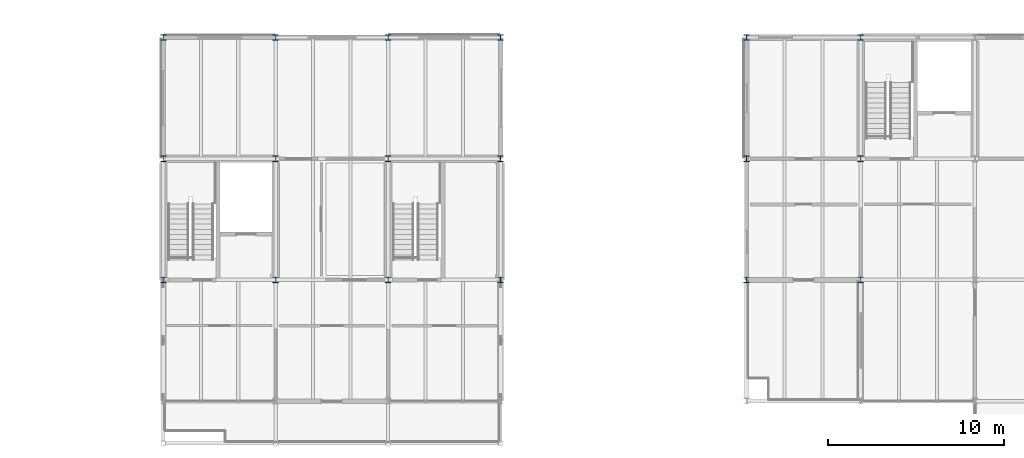
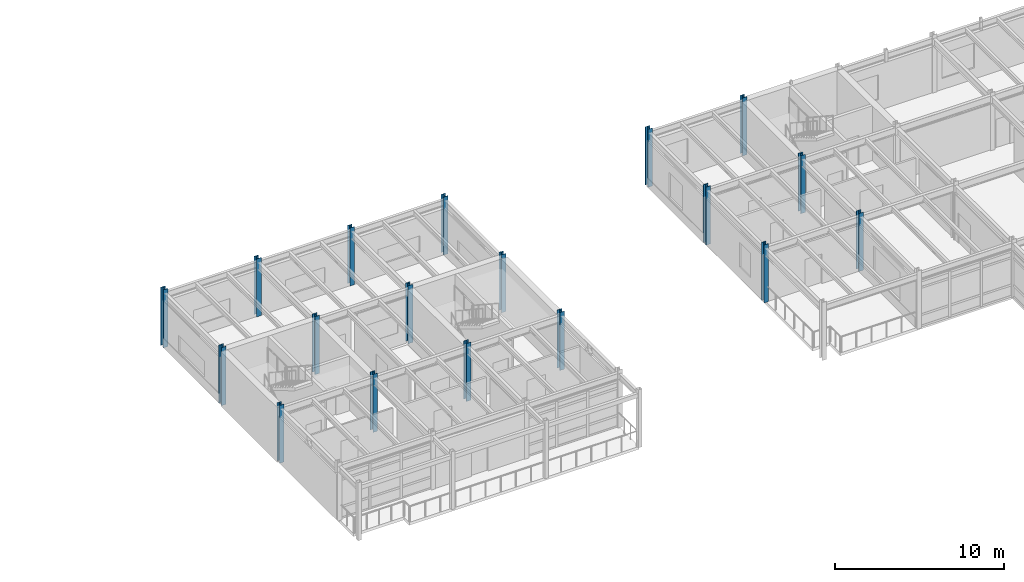
# One storey, part 15 of 144: 18 columns.
"""IFC4 building model written with IfcOpenShell, lengths in metres."""

from ifc_helpers import new_model, si_unit, direction, frame, origin, origin_2d, place, context, subcontext, project, spatial, i_section, extrude, material, material_profile, profile_set, type_object, element, save


model = new_model("IFC4")

# Units and contexts
model_context = context("Model", 3, precision=1e-05, world=origin(), true_north=direction((0.0, 1.0)))
body_context = subcontext(model_context, "Body", "Model", "MODEL_VIEW")
ifc_project = project(units=[si_unit("LENGTHUNIT", "METRE"), si_unit("AREAUNIT", "SQUARE_METRE"), si_unit("VOLUMEUNIT", "CUBIC_METRE"), si_unit("PLANEANGLEUNIT", "RADIAN"), si_unit("MASSUNIT", "GRAM", prefix="KILO")], contexts=[model_context])

# Site, building, storey
site_placement = place(None, origin())
site = spatial("IfcSite", under=ifc_project, at=site_placement, CompositionType="ELEMENT")
building_placement = place(site_placement, origin())
building = spatial("IfcBuilding", under=site, at=building_placement, Name="Trelmorton Wharf Fire Station", CompositionType="ELEMENT")
storey_placement = place(building_placement, frame((0.0, 0.0, 5.39990234375)))
storey = spatial("IfcBuildingStorey", under=building, at=storey_placement, Name="L01", CompositionType="ELEMENT", Elevation=5.39990234375)

# Columns
ifc_material = material(Name="Steel Grade 350", Category="steel")
ifc_material_profile_1 = material_profile(ifc_material, i_section(OverallWidth=0.30908203125, OverallDepth=0.321044921875, WebThickness=0.013916015625, FlangeThickness=0.021728515625, FilletRadius=0.0166015625, at=origin_2d()), Name="310UC137")
ifc_profile_set_1 = profile_set([ifc_material_profile_1], Name="Steel Grade 350")
column_type_1 = type_object("IfcColumnType", Name="COL_310UC137", PredefinedType="COLUMN", material=ifc_profile_set_1)
for number, where, z_axis, x_axis, name in (
    (1, (104.0, 67.199951171875, 0.0), (0.0, 0.0, 1.0), (1.0, 0.0, 0.0), "COL-L01-0380"),
    (2, (104.0, 74.10009765625, 0.0), (0.0, 0.0, 1.0), (1.0, 0.0, 0.0), "COL-L01-0381"),
    (3, (104.0, 81.0, 0.0), (0.0, 0.0, 1.0), (1.0, 0.0, 0.0), "COL-L01-0382"),
    (4, (110.5, 67.199951171875, 0.0), (0.0, 0.0, 1.0), (1.0, 0.0, 0.0), "COL-L01-0388"),
    (5, (110.5, 74.10009765625, 0.0), (0.0, 0.0, 1.0), (1.0, 0.0, 0.0), "COL-L01-0389"),
    (6, (110.5, 81.0, 0.0), (0.0, 0.0, 1.0), (1.0, 0.0, 0.0), "COL-L01-0390"),
):
    element("IfcColumn", number, at=place(storey_placement, frame(where, z_axis=z_axis, x_axis=x_axis)), inside=storey, type_object=column_type_1, Name=name, PredefinedType="COLUMN", context=body_context, shape_type="SweptSolid", body=[
        extrude(i_section(OverallWidth=0.30908203125, OverallDepth=0.321044921875, WebThickness=0.013916015625, FlangeThickness=0.021728515625, FilletRadius=0.0166015625, at=origin_2d()), origin(), (0.0, 0.0, 1.0), 4.2001953125),
    ])
ifc_material_profile_2 = material_profile(ifc_material, i_section(OverallWidth=0.31103515625, OverallDepth=0.326904296875, WebThickness=0.015625, FlangeThickness=0.02490234375, FilletRadius=0.0166015625, at=origin_2d()), Name="310UC158")
ifc_profile_set_2 = profile_set([ifc_material_profile_2], Name="Steel Grade 350")
column_type_2 = type_object("IfcColumnType", Name="COL_310UC158", PredefinedType="COLUMN", material=ifc_profile_set_2)
for number, where, z_axis, x_axis, name in (
    (7, (70.800048828125, 67.199951171875, 0.0), (0.0, 0.0, 1.0), (1.0, 0.0, 0.0), "COL-L01-0342"),
    (8, (70.800048828125, 74.10009765625, 0.0), (0.0, 0.0, 1.0), (1.0, 0.0, 0.0), "COL-L01-0343"),
    (9, (70.800048828125, 81.0, 0.0), (0.0, 0.0, 1.0), (1.0, 0.0, 0.0), "COL-L01-0344"),
    (10, (77.199951171875, 67.199951171875, 0.0), (0.0, 0.0, 1.0), (1.0, 0.0, 0.0), "COL-L01-0351"),
    (11, (77.199951171875, 74.10009765625, 0.0), (0.0, 0.0, 1.0), (1.0, 0.0, 0.0), "COL-L01-0352"),
    (12, (77.199951171875, 81.0, 0.0), (0.0, 0.0, 1.0), (1.0, 0.0, 0.0), "COL-L01-0353"),
    (13, (83.60009765625, 67.199951171875, 0.0), (0.0, 0.0, 1.0), (1.0, 0.0, 0.0), "COL-L01-0361"),
    (14, (83.60009765625, 74.10009765625, 0.0), (0.0, 0.0, 1.0), (1.0, 0.0, 0.0), "COL-L01-0362"),
    (15, (83.60009765625, 81.0, 0.0), (0.0, 0.0, 1.0), (1.0, 0.0, 0.0), "COL-L01-0363"),
    (16, (90.0, 67.199951171875, 0.0), (0.0, 0.0, 1.0), (1.0, 0.0, 0.0), "COL-L01-0368"),
    (17, (90.0, 74.10009765625, 0.0), (0.0, 0.0, 1.0), (1.0, 0.0, 0.0), "COL-L01-0369"),
    (18, (90.0, 81.0, 0.0), (0.0, 0.0, 1.0), (1.0, 0.0, 0.0), "COL-L01-0370"),
):
    element("IfcColumn", number, at=place(storey_placement, frame(where, z_axis=z_axis, x_axis=x_axis)), inside=storey, type_object=column_type_2, Name=name, PredefinedType="COLUMN", context=body_context, shape_type="SweptSolid", body=[
        extrude(i_section(OverallWidth=0.31103515625, OverallDepth=0.326904296875, WebThickness=0.015625, FlangeThickness=0.02490234375, FilletRadius=0.0166015625, at=origin_2d()), origin(), (0.0, 0.0, 1.0), 4.2001953125),
    ])

save(model, "model.ifc")
